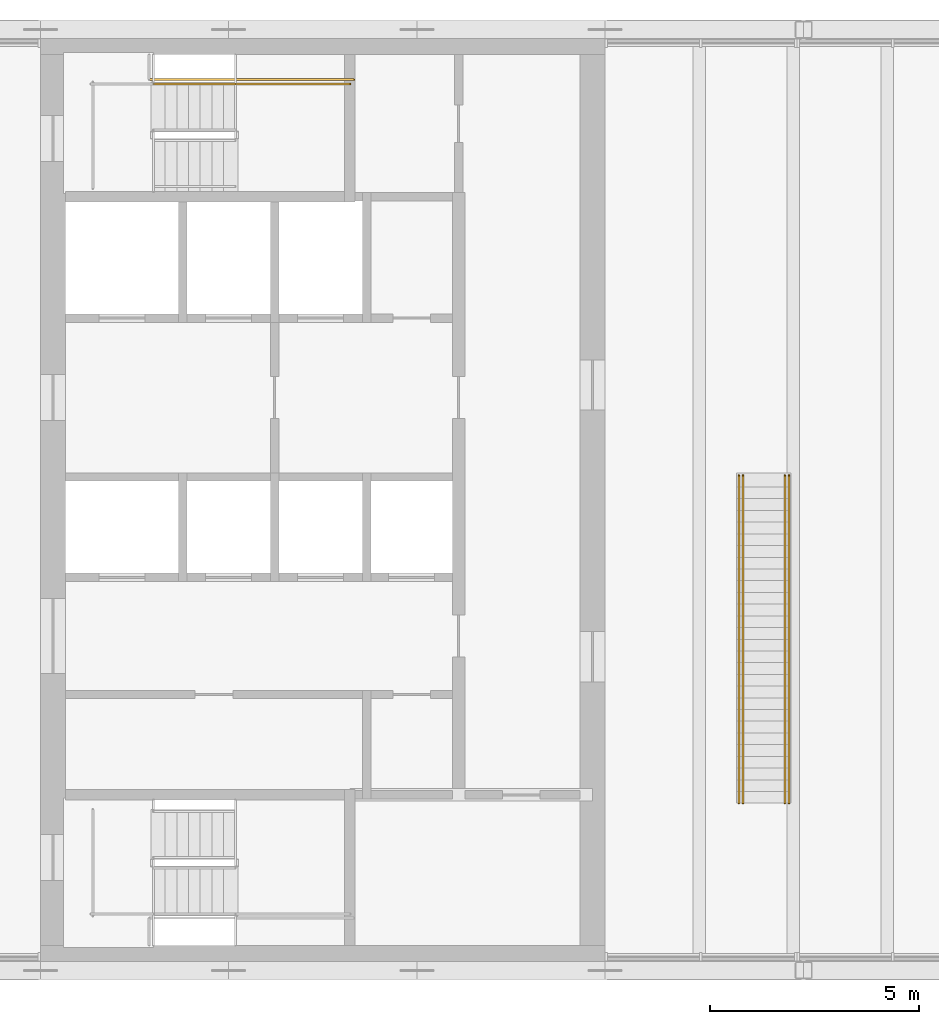
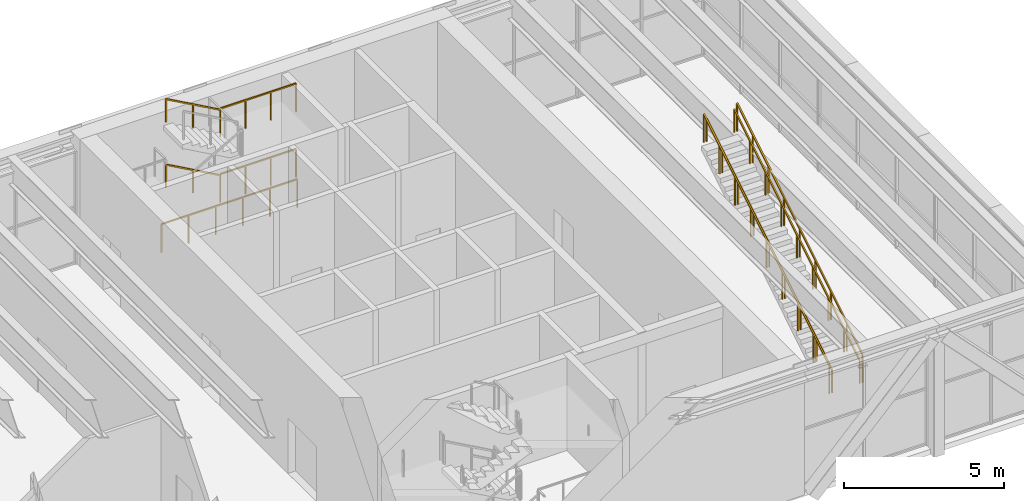
# One storey, part 12 of 13: 9 railings.
"""IFC4 building model written with IfcOpenShell, lengths in metres."""

from ifc_helpers import new_model, si_unit, direction, frame, origin, origin_2d, place, context, subcontext, project, spatial, rectangle, extrude, material, type_object, element, save


model = new_model("IFC4")

# Units and contexts
model_context = context("Model", 3, precision=1e-05, world=origin(), true_north=direction((0.0, 1.0)))
body_context = subcontext(model_context, "Body", "Model", "MODEL_VIEW")
ifc_project = project(units=[si_unit("LENGTHUNIT", "METRE"), si_unit("AREAUNIT", "SQUARE_METRE"), si_unit("VOLUMEUNIT", "CUBIC_METRE"), si_unit("PLANEANGLEUNIT", "RADIAN"), si_unit("MASSUNIT", "GRAM", prefix="KILO")], contexts=[model_context])

# Site, building, storey
site_placement = place(None, origin())
site = spatial("IfcSite", under=ifc_project, at=site_placement, CompositionType="ELEMENT")
building_placement = place(site_placement, origin())
building = spatial("IfcBuilding", under=site, at=building_placement, Name="Sennacour Bend Tower", CompositionType="ELEMENT")
storey_placement = place(building_placement, frame((0.0, 0.0, 345.5)))
storey = spatial("IfcBuildingStorey", under=building, at=storey_placement, Name="L79", CompositionType="ELEMENT", Elevation=345.5)

# Railings
ifc_material = material(Name="Stainless steel", Category="steel")
railing_type_1 = type_object("IfcRailingType", Name="RL-GUARD-1100", PredefinedType="GUARDRAIL", material=ifc_material)
for number, where, name in (
    (1, (58.659912109375, 21.199951171875, 1.25), "L79 SA2 stair guard 3"),
    (2, (58.659912109375, 21.199951171875, 3.75), "L79 SA2 stair guard 10"),
):
    element("IfcRailing", number, at=place(storey_placement, frame(where)), inside=storey, type_object=railing_type_1, Name=name, PredefinedType="GUARDRAIL", context=body_context, shape_type="SweptSolid", body=[
        extrude(rectangle(XDim=0.048095703125, YDim=0.048095703125, at=origin_2d()), frame((0.0, 0.0, 1.076171875), z_axis=(1.0, 0.0, 0.0), x_axis=(0.0, 1.0, 0.0)), (0.0, 0.0, 1.0), 2.739990234375),
        extrude(rectangle(XDim=0.0419921875, YDim=0.0419921875, at=origin_2d()), origin(), (0.0, 0.0, 1.0), 1.052001953125),
        extrude(rectangle(XDim=0.0419921875, YDim=0.0419921875, at=origin_2d()), frame((0.913330078125, 0.0, 0.0)), (0.0, 0.0, 1.0), 1.052001953125),
        extrude(rectangle(XDim=0.0419921875, YDim=0.0419921875, at=origin_2d()), frame((1.82666015625, 0.0, 0.0)), (0.0, 0.0, 1.0), 1.052001953125),
        extrude(rectangle(XDim=0.0419921875, YDim=0.0419921875, at=origin_2d()), frame((2.739990234375, 0.0, 0.0)), (0.0, 0.0, 1.0), 1.052001953125),
    ])
railing_placement = place(storey_placement, frame((56.60009765625, 21.300048828125, 0.0)))
element("IfcRailing", 3, at=railing_placement, inside=storey, type_object=railing_type_1, Name="L79 SA2 stair guard 15", PredefinedType="GUARDRAIL", context=body_context, shape_type="SweptSolid", body=[
    extrude(rectangle(XDim=0.048095703125, YDim=0.048095703125, at=origin_2d()), frame((0.0, 0.0, 1.076171875), z_axis=(1.0, 0.0, 0.0), x_axis=(0.0, 1.0, 0.0)), (0.0, 0.0, 1.0), 4.89990234375),
    extrude(rectangle(XDim=0.0419921875, YDim=0.0419921875, at=origin_2d()), origin(), (0.0, 0.0, 1.0), 1.052001953125),
    extrude(rectangle(XDim=0.0419921875, YDim=0.0419921875, at=origin_2d()), frame((0.97998046875, 0.0, 0.0)), (0.0, 0.0, 1.0), 1.052001953125),
    extrude(rectangle(XDim=0.0419921875, YDim=0.0419921875, at=origin_2d()), frame((1.9599609375, 0.0, 0.0)), (0.0, 0.0, 1.0), 1.052001953125),
    extrude(rectangle(XDim=0.0419921875, YDim=0.0419921875, at=origin_2d()), frame((2.93994140625, 0.0, 0.0)), (0.0, 0.0, 1.0), 1.052001953125),
    extrude(rectangle(XDim=0.0419921875, YDim=0.0419921875, at=origin_2d()), frame((3.919921875, 0.0, 0.0)), (0.0, 0.0, 1.0), 1.052001953125),
    extrude(rectangle(XDim=0.0419921875, YDim=0.0419921875, at=origin_2d()), frame((4.89990234375, 0.0, 0.0)), (0.0, 0.0, 1.0), 1.052001953125),
])
for number, where, name in (
    (4, (70.699951171875, 4.0, 0.17236328125), "L79 SL1 stair guard"),
    (5, (71.89990234375, 4.0, 0.17236328125), "L79 SL1 stair guard"),
):
    element("IfcRailing", number, at=place(storey_placement, frame(where)), inside=storey, type_object=railing_type_1, Name=name, PredefinedType="GUARDRAIL", context=body_context, shape_type="SweptSolid", body=[
        extrude(rectangle(XDim=0.048095703125, YDim=0.048095703125, at=origin_2d()), frame((0.0, 0.0, 1.076171875), z_axis=(0.0, 0.851514437136, 0.524331158095), x_axis=(-1.0, 0.0, 0.0)), (0.0, 0.0, 1.0), 9.207275390625),
        extrude(rectangle(XDim=0.0419921875, YDim=0.0419921875, at=origin_2d()), origin(), (0.0, 0.0, 1.0), 1.052001953125),
        extrude(rectangle(XDim=0.0419921875, YDim=0.0419921875, at=origin_2d()), frame((0.0, 0.97998046875, 0.603515625)), (0.0, 0.0, 1.0), 1.052001953125),
        extrude(rectangle(XDim=0.0419921875, YDim=0.0419921875, at=origin_2d()), frame((0.0, 1.9599609375, 1.20703125)), (0.0, 0.0, 1.0), 1.052001953125),
        extrude(rectangle(XDim=0.0419921875, YDim=0.0419921875, at=origin_2d()), frame((0.0, 2.93994140625, 1.810302734375)), (0.0, 0.0, 1.0), 1.052001953125),
        extrude(rectangle(XDim=0.0419921875, YDim=0.0419921875, at=origin_2d()), frame((0.0, 3.919921875, 2.413818359375)), (0.0, 0.0, 1.0), 1.052001953125),
        extrude(rectangle(XDim=0.0419921875, YDim=0.0419921875, at=origin_2d()), frame((0.0, 4.900146484375, 3.017333984375)), (0.0, 0.0, 1.0), 1.052001953125),
        extrude(rectangle(XDim=0.0419921875, YDim=0.0419921875, at=origin_2d()), frame((0.0, 5.880126953125, 3.62060546875)), (0.0, 0.0, 1.0), 1.052001953125),
        extrude(rectangle(XDim=0.0419921875, YDim=0.0419921875, at=origin_2d()), frame((0.0, 6.860107421875, 4.22412109375)), (0.0, 0.0, 1.0), 1.052001953125),
        extrude(rectangle(XDim=0.0419921875, YDim=0.0419921875, at=origin_2d()), frame((0.0, 7.840087890625, 4.82763671875)), (0.0, 0.0, 1.0), 1.052001953125),
    ])
railing_type_2 = type_object("IfcRailingType", Name="RL-HANDRAIL-900", PredefinedType="HANDRAIL", material=ifc_material)
for number, where, name in (
    (6, (58.659912109375, 21.199951171875, 1.40625), "L79 SA2 stair handrail 2"),
    (7, (58.659912109375, 21.199951171875, 3.90625), "L79 SA2 stair handrail 4"),
):
    element("IfcRailing", number, at=place(storey_placement, frame(where)), inside=storey, type_object=railing_type_2, Name=name, PredefinedType="HANDRAIL", context=body_context, shape_type="SweptSolid", body=[
        extrude(rectangle(XDim=0.048095703125, YDim=0.048095703125, at=origin_2d()), frame((0.0, 0.0, 0.8759765625), z_axis=(-0.873232148454, 0.0, 0.487304437602), x_axis=(0.0, -1.0, 0.0)), (0.0, 0.0, 1.0), 2.244384765625),
        extrude(rectangle(XDim=0.0419921875, YDim=0.0419921875, at=origin_2d()), origin(), (0.0, 0.0, 1.0), 0.851806640625),
        extrude(rectangle(XDim=0.0419921875, YDim=0.0419921875, at=origin_2d()), frame((-0.97998046875, 0.0, 0.546875)), (0.0, 0.0, 1.0), 0.851806640625),
        extrude(rectangle(XDim=0.0419921875, YDim=0.0419921875, at=origin_2d()), frame((-1.9599609375, 0.0, 1.09375)), (0.0, 0.0, 1.0), 0.851806640625),
    ])
for number, where, name in (
    (8, (70.800048828125, 4.0, 0.17236328125), "L79 SL1 stair handrail"),
    (9, (71.800048828125, 4.0, 0.17236328125), "L79 SL1 stair handrail"),
):
    element("IfcRailing", number, at=place(storey_placement, frame(where)), inside=storey, type_object=railing_type_2, Name=name, PredefinedType="HANDRAIL", context=body_context, shape_type="SweptSolid", body=[
        extrude(rectangle(XDim=0.048095703125, YDim=0.048095703125, at=origin_2d()), frame((0.0, 0.0, 0.8759765625), z_axis=(0.0, 0.851514437136, 0.524331158095), x_axis=(-1.0, 0.0, 0.0)), (0.0, 0.0, 1.0), 9.207275390625),
        extrude(rectangle(XDim=0.0419921875, YDim=0.0419921875, at=origin_2d()), origin(), (0.0, 0.0, 1.0), 0.851806640625),
        extrude(rectangle(XDim=0.0419921875, YDim=0.0419921875, at=origin_2d()), frame((0.0, 0.97998046875, 0.603515625)), (0.0, 0.0, 1.0), 0.851806640625),
        extrude(rectangle(XDim=0.0419921875, YDim=0.0419921875, at=origin_2d()), frame((0.0, 1.9599609375, 1.20703125)), (0.0, 0.0, 1.0), 0.851806640625),
        extrude(rectangle(XDim=0.0419921875, YDim=0.0419921875, at=origin_2d()), frame((0.0, 2.93994140625, 1.810302734375)), (0.0, 0.0, 1.0), 0.851806640625),
        extrude(rectangle(XDim=0.0419921875, YDim=0.0419921875, at=origin_2d()), frame((0.0, 3.919921875, 2.413818359375)), (0.0, 0.0, 1.0), 0.851806640625),
        extrude(rectangle(XDim=0.0419921875, YDim=0.0419921875, at=origin_2d()), frame((0.0, 4.900146484375, 3.017333984375)), (0.0, 0.0, 1.0), 0.851806640625),
        extrude(rectangle(XDim=0.0419921875, YDim=0.0419921875, at=origin_2d()), frame((0.0, 5.880126953125, 3.62060546875)), (0.0, 0.0, 1.0), 0.851806640625),
        extrude(rectangle(XDim=0.0419921875, YDim=0.0419921875, at=origin_2d()), frame((0.0, 6.860107421875, 4.22412109375)), (0.0, 0.0, 1.0), 0.851806640625),
        extrude(rectangle(XDim=0.0419921875, YDim=0.0419921875, at=origin_2d()), frame((0.0, 7.840087890625, 4.82763671875)), (0.0, 0.0, 1.0), 0.851806640625),
    ])

save(model, "model.ifc")
